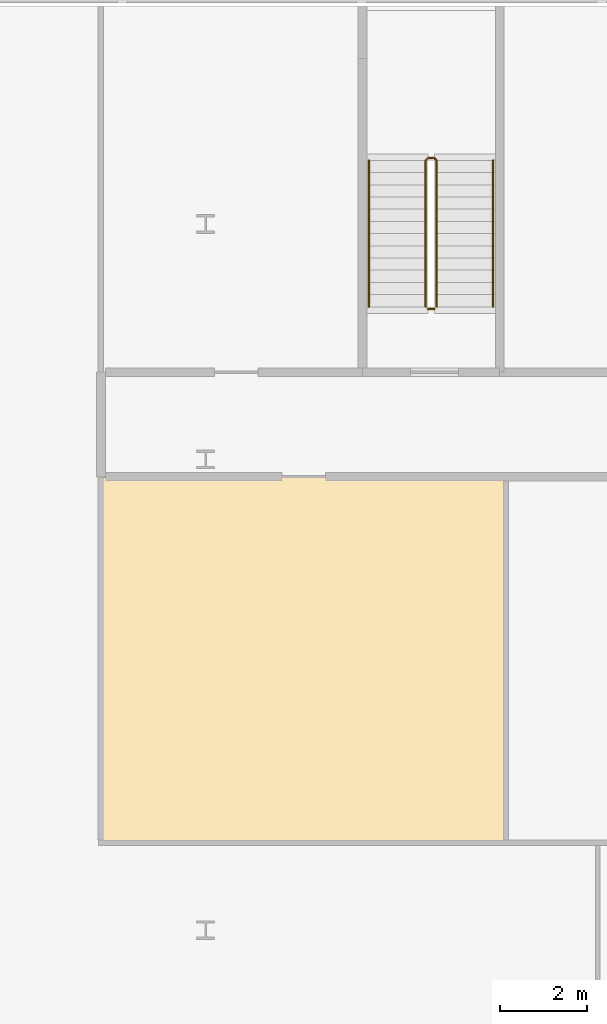
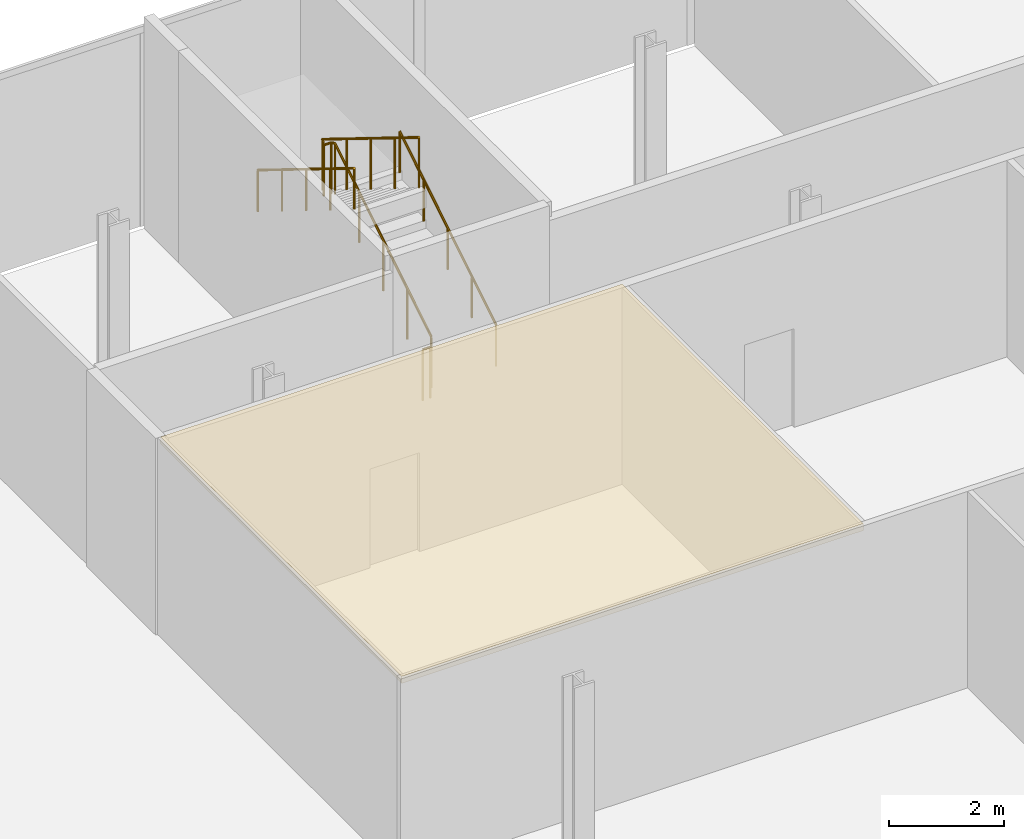
# One storey, part 46 of 47: 4 railings, 1 covering.
"""IFC4 building model written with IfcOpenShell, lengths in metres."""

from ifc_helpers import new_model, si_unit, direction, frame, origin, origin_2d, place, context, subcontext, project, spatial, polyline, circle, outline, extrude, material, layer, layer_set, type_object, element, save


model = new_model("IFC4")

# Units and contexts
model_context = context("Model", 3, precision=1e-05, world=origin(), true_north=direction((0.0, 1.0)))
body_context = subcontext(model_context, "Body", "Model", "MODEL_VIEW")
ifc_project = project(units=[si_unit("LENGTHUNIT", "METRE"), si_unit("AREAUNIT", "SQUARE_METRE"), si_unit("VOLUMEUNIT", "CUBIC_METRE"), si_unit("PLANEANGLEUNIT", "RADIAN"), si_unit("MASSUNIT", "GRAM", prefix="KILO")], contexts=[model_context])

# Site, building, storey
site_placement = place(None, origin())
site = spatial("IfcSite", under=ifc_project, at=site_placement, CompositionType="ELEMENT")
building_placement = place(site_placement, origin())
building = spatial("IfcBuilding", under=site, at=building_placement, Name="Kheshtan School and Residences Tower", CompositionType="ELEMENT")
storey_placement = place(building_placement, frame((0.0, 0.0, 21.5)))
storey = spatial("IfcBuildingStorey", under=building, at=storey_placement, Name="L04", CompositionType="ELEMENT", Elevation=21.5)

# Covering
ifc_material_1 = material(Name="Mineral fibre acoustic ceiling on metal grid")
ifc_layer = layer(ifc_material_1, 0.14990234375)
ifc_layer_set = layer_set([ifc_layer], Name="Acoustic ceiling 150 mineral fibre")
covering_type = type_object("IfcCoveringType", Name="Acoustic ceiling 150 mineral fibre", PredefinedType="CEILING", material=ifc_layer_set)
covering_placement = place(storey_placement, frame((0.0, 0.0, 4.030029296875)))
element("IfcCovering", 1, at=covering_placement, inside=storey, type_object=covering_type, Name="Ceiling Library L04", PredefinedType="CEILING", context=body_context, shape_type="SweptSolid", body=[
    extrude(outline(polyline([(65.2890625, 99.199951171875), (65.2890625, 90.800048828125), (56.0, 90.800048828125), (56.0, 99.199951171875), (65.2890625, 99.199951171875)])), origin(), (0.0, 0.0, 1.0), 0.14990234375),
])

# Railings
ifc_material_2 = material(Name="Stainless steel balustrade", Category="steel")
railing_type_1 = type_object("IfcRailingType", Name="Stair guard 1100", PredefinedType="GUARDRAIL", material=ifc_material_2)
railing_1_placement = place(storey_placement, frame((63.699951171875, 103.10009765625, 0.173095703125)))
element("IfcRailing", 2, at=railing_1_placement, inside=storey, type_object=railing_type_1, Name="L04 PS-062-102 stair guard 1", PredefinedType="GUARDRAIL", context=body_context, shape_type="SweptSolid", body=[
    extrude(circle(Radius=0.02392578125, at=origin_2d()), frame((0.0, 0.0, 1.076171875), z_axis=(0.0, 0.850606129759, 0.525803396734), x_axis=(-1.0, 0.0, 0.0)), (0.0, 0.0, 1.0), 3.949951171875),
    extrude(circle(Radius=0.02392578125, at=origin_2d()), frame((0.0, 3.35986328125, 3.15283203125), z_axis=(-0.707106781187, 0.707106781187, 0.0), x_axis=(-0.707106781187, -0.707106781187, 0.0)), (0.0, 0.0, 1.0), 0.07080078125),
    extrude(circle(Radius=0.02392578125, at=origin_2d()), frame((-0.050048828125, 3.409912109375, 3.15283203125), z_axis=(-1.0, 0.0, 0.0), x_axis=(0.0, -1.0, 0.0)), (0.0, 0.0, 1.0), 0.14990234375),
    extrude(circle(Radius=0.02392578125, at=origin_2d()), frame((-0.199951171875, 3.409912109375, 3.15283203125), z_axis=(-0.267629722418, -0.267629722418, 0.925607186314), x_axis=(0.707106781187, -0.707106781187, 0.0)), (0.0, 0.0, 1.0), 0.18701171875),
    extrude(circle(Radius=0.02392578125, at=origin_2d()), frame((-0.25, 3.35986328125, 3.326171875), z_axis=(0.0, -0.850606129759, 0.525803396734), x_axis=(1.0, 0.0, 0.0)), (0.0, 0.0, 1.0), 3.949951171875),
    extrude(circle(Radius=0.02099609375, at=origin_2d()), origin(), (0.0, 0.0, 1.0), 1.052001953125),
    extrude(circle(Radius=0.02099609375, at=origin_2d()), frame((0.0, 0.83984375, 0.519287109375)), (0.0, 0.0, 1.0), 1.052001953125),
    extrude(circle(Radius=0.02099609375, at=origin_2d()), frame((0.0, 1.679931640625, 1.03857421875)), (0.0, 0.0, 1.0), 1.052001953125),
    extrude(circle(Radius=0.02099609375, at=origin_2d()), frame((0.0, 2.52001953125, 1.5576171875)), (0.0, 0.0, 1.0), 1.052001953125),
    extrude(circle(Radius=0.02099609375, at=origin_2d()), frame((0.0, 3.35986328125, 2.076904296875)), (0.0, 0.0, 1.0), 1.052001953125),
    extrude(circle(Radius=0.02099609375, at=origin_2d()), frame((-0.050048828125, 3.409912109375, 2.076904296875)), (0.0, 0.0, 1.0), 1.052001953125),
    extrude(circle(Radius=0.02099609375, at=origin_2d()), frame((-0.199951171875, 3.409912109375, 2.076904296875)), (0.0, 0.0, 1.0), 1.052001953125),
    extrude(circle(Radius=0.02099609375, at=origin_2d()), frame((-0.25, 3.35986328125, 2.25)), (0.0, 0.0, 1.0), 1.052001953125),
    extrude(circle(Radius=0.02099609375, at=origin_2d()), frame((-0.25, 2.52001953125, 2.769287109375)), (0.0, 0.0, 1.0), 1.052001953125),
    extrude(circle(Radius=0.02099609375, at=origin_2d()), frame((-0.25, 1.679931640625, 3.28857421875)), (0.0, 0.0, 1.0), 1.052001953125),
    extrude(circle(Radius=0.02099609375, at=origin_2d()), frame((-0.25, 0.83984375, 3.8076171875)), (0.0, 0.0, 1.0), 1.052001953125),
    extrude(circle(Radius=0.02099609375, at=origin_2d()), frame((-0.25, 0.0, 4.326904296875)), (0.0, 0.0, 1.0), 1.052001953125),
])
railing_2_placement = place(storey_placement, frame((63.64990234375, 103.050048828125, 0.0)))
element("IfcRailing", 3, at=railing_2_placement, inside=storey, type_object=railing_type_1, Name="L04 PS-062-102 stair guard 2", PredefinedType="GUARDRAIL", context=body_context, shape_type="SweptSolid", body=[
    extrude(circle(Radius=0.02392578125, at=origin_2d()), frame((0.0, 0.0, 1.076171875), z_axis=(-1.0, 0.0, 0.0), x_axis=(0.0, -1.0, 0.0)), (0.0, 0.0, 1.0), 0.14990234375),
    extrude(circle(Radius=0.02099609375, at=origin_2d()), origin(), (0.0, 0.0, 1.0), 1.052001953125),
    extrude(circle(Radius=0.02099609375, at=origin_2d()), frame((-0.14990234375, 0.0, 0.0)), (0.0, 0.0, 1.0), 1.052001953125),
])
ifc_material_3 = material(Name="Stainless steel handrail", Category="steel")
railing_type_2 = type_object("IfcRailingType", Name="Stair handrail 900", PredefinedType="HANDRAIL", material=ifc_material_3)
railing_3_placement = place(storey_placement, frame((65.0, 103.10009765625, 0.173095703125)))
element("IfcRailing", 4, at=railing_3_placement, inside=storey, type_object=railing_type_2, Name="L04 PS-062-102 stair handrail 1", PredefinedType="HANDRAIL", context=body_context, shape_type="SweptSolid", body=[
    extrude(circle(Radius=0.02392578125, at=origin_2d()), frame((0.0, 0.0, 0.8759765625), z_axis=(0.0, 0.850606129759, 0.525803396734), x_axis=(-1.0, 0.0, 0.0)), (0.0, 0.0, 1.0), 3.949951171875),
    extrude(circle(Radius=0.02099609375, at=origin_2d()), origin(), (0.0, 0.0, 1.0), 0.851806640625),
    extrude(circle(Radius=0.02099609375, at=origin_2d()), frame((0.0, 0.83984375, 0.519287109375)), (0.0, 0.0, 1.0), 0.851806640625),
    extrude(circle(Radius=0.02099609375, at=origin_2d()), frame((0.0, 1.679931640625, 1.03857421875)), (0.0, 0.0, 1.0), 0.851806640625),
    extrude(circle(Radius=0.02099609375, at=origin_2d()), frame((0.0, 2.52001953125, 1.5576171875)), (0.0, 0.0, 1.0), 0.851806640625),
    extrude(circle(Radius=0.02099609375, at=origin_2d()), frame((0.0, 3.35986328125, 2.076904296875)), (0.0, 0.0, 1.0), 0.851806640625),
])
railing_4_placement = place(storey_placement, frame((62.14990234375, 106.4599609375, 2.423095703125)))
element("IfcRailing", 5, at=railing_4_placement, inside=storey, type_object=railing_type_2, Name="L04 PS-062-102 stair handrail 2", PredefinedType="HANDRAIL", context=body_context, shape_type="SweptSolid", body=[
    extrude(circle(Radius=0.02392578125, at=origin_2d()), frame((0.0, 0.0, 0.8759765625), z_axis=(0.0, -0.850606129759, 0.525803396734), x_axis=(1.0, 0.0, 0.0)), (0.0, 0.0, 1.0), 3.949951171875),
    extrude(circle(Radius=0.02099609375, at=origin_2d()), origin(), (0.0, 0.0, 1.0), 0.851806640625),
    extrude(circle(Radius=0.02099609375, at=origin_2d()), frame((0.0, -0.83984375, 0.519287109375)), (0.0, 0.0, 1.0), 0.851806640625),
    extrude(circle(Radius=0.02099609375, at=origin_2d()), frame((0.0, -1.679931640625, 1.03857421875)), (0.0, 0.0, 1.0), 0.851806640625),
    extrude(circle(Radius=0.02099609375, at=origin_2d()), frame((0.0, -2.52001953125, 1.5576171875)), (0.0, 0.0, 1.0), 0.851806640625),
    extrude(circle(Radius=0.02099609375, at=origin_2d()), frame((0.0, -3.35986328125, 2.076904296875)), (0.0, 0.0, 1.0), 0.851806640625),
])

save(model, "model.ifc")
